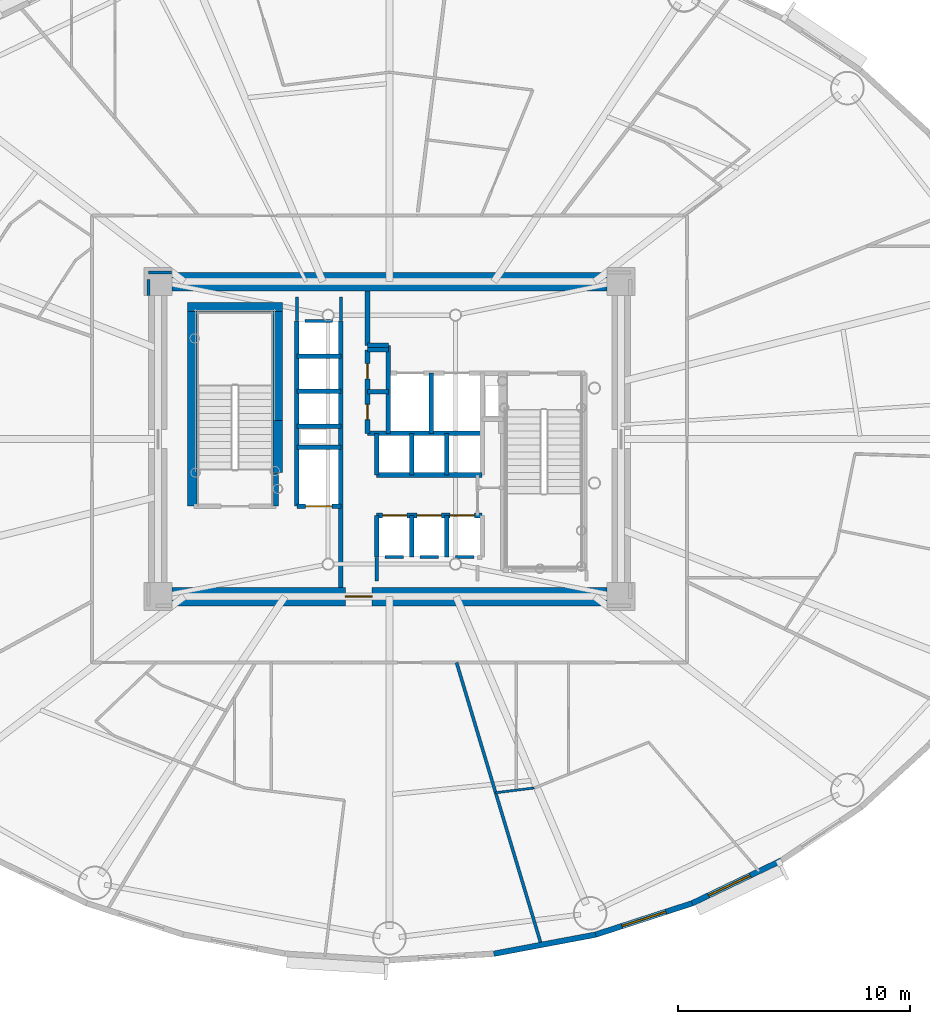
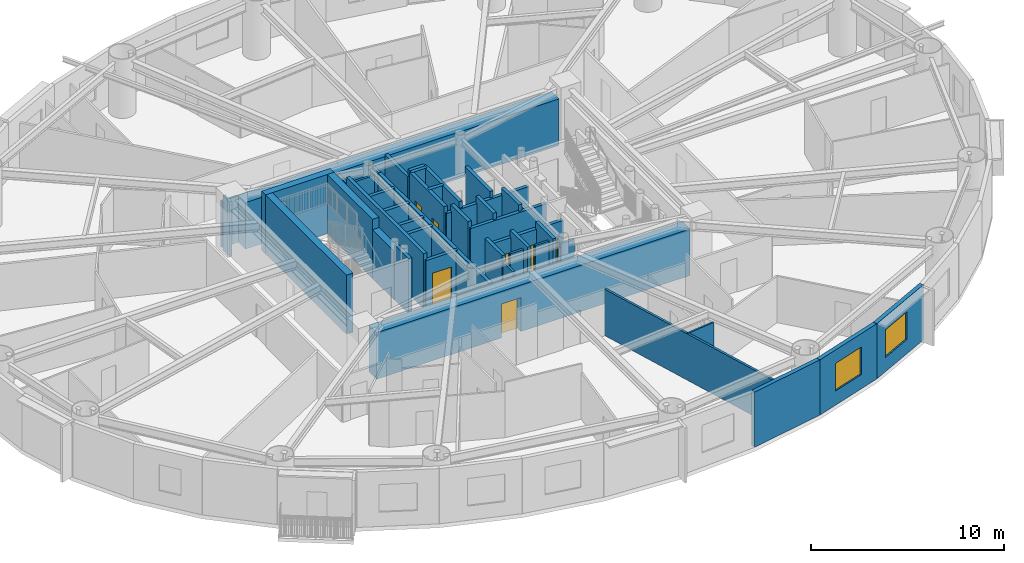
# One storey, part 8 of 18: 44 walls, 7 doors, 2 windows, 9 openings.
"""IFC4 building model written with IfcOpenShell, lengths in metres."""

from ifc_helpers import new_model, si_unit, direction, frame, frame_2d, origin, origin_2d, place, context, subcontext, project, spatial, rectangle, extrude, source, transform, mapped, material, layer, layer_set, type_object, element, fill, save


model = new_model("IFC4")

# Units and contexts
model_context = context("Model", 3, precision=1e-05, world=origin(), true_north=direction((0.0, 1.0)))
body_context = subcontext(model_context, "Body", "Model", "MODEL_VIEW")
ifc_project = project(units=[si_unit("LENGTHUNIT", "METRE"), si_unit("AREAUNIT", "SQUARE_METRE"), si_unit("VOLUMEUNIT", "CUBIC_METRE"), si_unit("PLANEANGLEUNIT", "RADIAN"), si_unit("MASSUNIT", "GRAM", prefix="KILO")], contexts=[model_context])

# Site, building, storey
site_placement = place(None, origin())
site = spatial("IfcSite", under=ifc_project, at=site_placement, CompositionType="ELEMENT")
building_placement = place(site_placement, origin())
building = spatial("IfcBuilding", under=site, at=building_placement, Name="Linh Dai School and Residence Tower", CompositionType="ELEMENT")
storey_placement = place(building_placement, frame((0.0, 0.0, 100.949951171875)))
storey = spatial("IfcBuildingStorey", under=building, at=storey_placement, Name="L23", CompositionType="ELEMENT", Elevation=100.949951171875)

# Wall
ifc_material_1 = material(Name="Precast Concrete B45 (C35/45)", Category="concrete")
ifc_layer_1 = layer(ifc_material_1, 0.239990234375)
ifc_layer_set_1 = layer_set([ifc_layer_1], Name="Precast Concrete B45 (C35/45)")
wall_type_1 = type_object("IfcWallType", Name="EW-TC-240", PredefinedType="SOLIDWALL", material=ifc_layer_set_1)
wall_1_placement = place(storey_placement, frame((44.899658203125, 5.5986328125, 0.0), z_axis=(0.0, 0.0, 1.0), x_axis=(-0.982789252177, -0.184730305596, 0.0)))
element("IfcWall", 1, at=wall_1_placement, inside=storey, type_object=wall_type_1, Name="L23 Terracotta Exterior Wall 32", PredefinedType="SOLIDWALL", context=body_context, shape_type="SweptSolid", body=[
    extrude(rectangle(XDim=4.470947265625, YDim=0.239990234375, at=frame_2d((2.2353515625, 0.0))), origin(), (0.0, 0.0, 1.0), 3.5),
])

# Wall, opening, window
wall_2_placement = place(storey_placement, frame((49.073974609375, 6.95263671875, 0.0), z_axis=(0.0, 0.0, 1.0), x_axis=(-0.951211346073, -0.308540070495, 0.0)))
wall_2 = element("IfcWall", 2, at=wall_2_placement, inside=storey, type_object=wall_type_1, Name="L23 Terracotta Exterior Wall 33", PredefinedType="SOLIDWALL", context=body_context, shape_type="SweptSolid", body=[
    extrude(rectangle(XDim=4.388427734375, YDim=0.239990234375, at=frame_2d((2.1943359375, 0.0))), origin(), (0.0, 0.0, 1.0), 3.5),
])
opening_1_placement = place(wall_2_placement, frame((1.1943359375, 0.0, 0.89990234375)))
opening_1 = element("IfcOpeningElement", 3, at=opening_1_placement, cuts=wall_2, Name="Opening W1", PredefinedType="OPENING", context=body_context, shape_type="SweptSolid", body=[
    extrude(rectangle(XDim=2.0, YDim=1.75, at=origin_2d()), frame((1.0, 0.1298828125, 0.875), z_axis=(0.0, -1.0, 0.0), x_axis=(1.0, 0.0, 0.0)), (0.0, 0.0, 1.0), 0.260009765625),
])
ifc_material_2 = material(Name="Double Low-E Insulated Glazing", Category="glass")
window_type = type_object("IfcWindowType", Name="WN-RES-2000x1750", PartitioningType="DOUBLE_PANEL_VERTICAL", PredefinedType="WINDOW", material=ifc_material_2)
shared_shape_1 = source(origin(), body_context, "Body", "SweptSolid", [
    extrude(rectangle(XDim=2.0, YDim=1.75, at=origin_2d()), frame((1.0, 0.030029296875, 0.875), z_axis=(0.0, -1.0, 0.0), x_axis=(1.0, 0.0, 0.0)), (0.0, 0.0, 1.0), 0.06005859375),
])
window_1_placement = place(opening_1_placement, origin())
window_1 = element("IfcWindow", 4, at=window_1_placement, inside=storey, type_object=window_type, Name="L23 Exterior Window 33.1", OverallHeight=1.75, OverallWidth=2.0, PartitioningType="DOUBLE_PANEL_VERTICAL", PredefinedType="WINDOW", context=body_context, shape_type="MappedRepresentation", body=[
    mapped(shared_shape_1, transform((0.0, 0.0, 0.0), x_axis=(1.0, 0.0, 0.0), y_axis=(0.0, 1.0, 0.0), z_axis=(0.0, 0.0, 1.0), scale=1.0)),
])
fill(opening_1, window_1)

wall_3_placement = place(storey_placement, frame((52.92529296875, 8.800537109375, 0.0), z_axis=(0.0, 0.0, 1.0), x_axis=(-0.901589935876, -0.432591709962, 0.0)))
wall_3 = element("IfcWall", 5, at=wall_3_placement, inside=storey, type_object=wall_type_1, Name="L23 Terracotta Exterior Wall 34", PredefinedType="SOLIDWALL", context=body_context, shape_type="SweptSolid", body=[
    extrude(rectangle(XDim=4.271728515625, YDim=0.239990234375, at=frame_2d((2.1357421875, 0.0))), origin(), (0.0, 0.0, 1.0), 3.5),
])
opening_2_placement = place(wall_3_placement, frame((1.4951171875, 0.0, 0.89990234375)))
opening_2 = element("IfcOpeningElement", 6, at=opening_2_placement, cuts=wall_3, Name="Opening W1", PredefinedType="OPENING", context=body_context, shape_type="SweptSolid", body=[
    extrude(rectangle(XDim=2.0, YDim=1.75, at=origin_2d()), frame((1.0, 0.1298828125, 0.875), z_axis=(0.0, -1.0, 0.0), x_axis=(1.0, 0.0, 0.0)), (0.0, 0.0, 1.0), 0.260009765625),
])
window_2_placement = place(opening_2_placement, origin())
window_2 = element("IfcWindow", 7, at=window_2_placement, inside=storey, type_object=window_type, Name="L23 Exterior Window 34.1", OverallHeight=1.75, OverallWidth=2.0, PartitioningType="DOUBLE_PANEL_VERTICAL", PredefinedType="WINDOW", context=body_context, shape_type="MappedRepresentation", body=[
    mapped(shared_shape_1, transform((0.0, 0.0, 0.0), x_axis=(1.0, 0.0, 0.0), y_axis=(0.0, 1.0, 0.0), z_axis=(0.0, 0.0, 1.0), scale=1.0)),
])
fill(opening_2, window_2)

# Walls
ifc_material_3 = material(Name="Autoclaved Aerated Concrete Blockwork", Category="masonry")
ifc_layer_2 = layer(ifc_material_3, 0.135009765625)
ifc_layer_set_2 = layer_set([ifc_layer_2], Name="Autoclaved Aerated Concrete Blockwork")
wall_type_2 = type_object("IfcWallType", Name="IW-CORR-135-EI90", PredefinedType="PARTITIONING", material=ifc_layer_set_2)
wall_4_placement = place(storey_placement, frame((38.896240234375, 17.35009765625, 0.0), z_axis=(0.0, 0.0, 1.0), x_axis=(0.287463970392, -0.957791452105, 0.0)))
element("IfcWall", 8, at=wall_4_placement, inside=storey, type_object=wall_type_2, Name="L23 Interior Partition Wall 063", PredefinedType="PARTITIONING", context=body_context, shape_type="SweptSolid", body=[
    extrude(rectangle(XDim=12.734375, YDim=0.135009765625, at=frame_2d((6.3671875, 0.0))), origin(), (0.0, 0.0, 1.0), 2.93505859375),
])
wall_5_placement = place(storey_placement, frame((36.60009765625, 21.89990234375, 0.0), z_axis=(0.0, 0.0, 1.0), x_axis=(-1.0, 0.0, 0.0)))
element("IfcWall", 9, at=wall_5_placement, inside=storey, type_object=wall_type_2, Name="L23 Interior Partition Wall 097", PredefinedType="PARTITIONING", context=body_context, shape_type="SweptSolid", body=[
    extrude(rectangle(XDim=0.7900390625, YDim=0.135009765625, at=frame_2d((0.39501953125, 0.0))), origin(), (0.0, 0.0, 1.0), 3.5),
])
wall_6_placement = place(storey_placement, frame((38.1201171875, 21.89990234375, 0.0), z_axis=(0.0, 0.0, 1.0), x_axis=(-1.0, 0.0, 0.0)))
element("IfcWall", 10, at=wall_6_placement, inside=storey, type_object=wall_type_2, Name="L23 Interior Partition Wall 098", PredefinedType="PARTITIONING", context=body_context, shape_type="SweptSolid", body=[
    extrude(rectangle(XDim=0.800048828125, YDim=0.135009765625, at=frame_2d((0.39990234375, 0.0))), origin(), (0.0, 0.0, 1.0), 3.5),
])
wall_7_placement = place(storey_placement, frame((39.639892578125, 21.89990234375, 0.0), z_axis=(0.0, 0.0, 1.0), x_axis=(-1.0, 0.0, 0.0)))
element("IfcWall", 11, at=wall_7_placement, inside=storey, type_object=wall_type_2, Name="L23 Interior Partition Wall 099", PredefinedType="PARTITIONING", context=body_context, shape_type="SweptSolid", body=[
    extrude(rectangle(XDim=0.7998046875, YDim=0.135009765625, at=frame_2d((0.39990234375, 0.0))), origin(), (0.0, 0.0, 1.0), 3.0849609375),
])
wall_8_placement = place(storey_placement, frame((32.360107421875, 32.10009765625, 0.0), z_axis=(0.0, 0.0, 1.0), x_axis=(1.0, 0.0, 0.0)))
element("IfcWall", 12, at=wall_8_placement, inside=storey, type_object=wall_type_2, Name="L23 Interior Partition Wall 100", PredefinedType="PARTITIONING", context=body_context, shape_type="SweptSolid", body=[
    extrude(rectangle(XDim=1.179931640625, YDim=0.135009765625, at=frame_2d((0.58984375, 0.0))), origin(), (0.0, 0.0, 1.0), 3.0849609375),
])
wall_9_placement = place(storey_placement, frame((32.0, 33.139892578125, 0.0), z_axis=(0.0, 0.0, 1.0), x_axis=(0.0, -1.0, 0.0)))
element("IfcWall", 13, at=wall_9_placement, inside=storey, type_object=wall_type_2, Name="L23 Interior Partition Wall 102", PredefinedType="PARTITIONING", context=body_context, shape_type="SweptSolid", body=[
    extrude(rectangle(XDim=1.02978515625, YDim=0.135009765625, at=frame_2d((0.514892578125, 0.0))), origin(), (0.0, 0.0, 1.0), 3.03515625),
])
for number, where, z_axis, x_axis, name in (
    (14, (35.449951171875, 21.889892578125, 0.0), (0.0, 0.0, 1.0), (0.0, -1.0, 0.0), "L23 Interior Partition Wall 104"),
    (15, (33.89990234375, 32.110107421875, 0.0), (0.0, 0.0, 1.0), (0.0, 1.0, 0.0), "L23 Interior Partition Wall 105"),
):
    element("IfcWall", number, at=place(storey_placement, frame(where, z_axis=z_axis, x_axis=x_axis)), inside=storey, type_object=wall_type_2, Name=name, PredefinedType="PARTITIONING", context=body_context, shape_type="SweptSolid", body=[
        extrude(rectangle(XDim=1.02978515625, YDim=0.135009765625, at=frame_2d((0.514892578125, 0.0))), origin(), (0.0, 0.0, 1.0), 3.0849609375),
    ])
wall_10_placement = place(storey_placement, frame((26.590087890625, 34.199951171875, 0.0), z_axis=(0.0, 0.0, 1.0), x_axis=(-1.0, 0.0, 0.0)))
element("IfcWall", 16, at=wall_10_placement, inside=storey, type_object=wall_type_2, Name="L23 Interior Partition Wall 109", PredefinedType="PARTITIONING", context=body_context, shape_type="SweptSolid", body=[
    extrude(rectangle(XDim=0.989990234375, YDim=0.135009765625, at=frame_2d((0.4951171875, 0.0))), origin(), (0.0, 0.0, 1.0), 2.93505859375),
])
wall_11_placement = place(storey_placement, frame((25.60009765625, 33.892578125, 0.0), z_axis=(0.0, 0.0, 1.0), x_axis=(0.0, -1.0, 0.0)))
element("IfcWall", 17, at=wall_11_placement, inside=storey, type_object=wall_type_2, Name="L23 Interior Partition Wall 110", PredefinedType="PARTITIONING", context=body_context, shape_type="SweptSolid", body=[
    extrude(rectangle(XDim=0.6826171875, YDim=0.135009765625, at=frame_2d((0.34130859375, 0.0))), origin(), (0.0, 0.0, 1.0), 3.5),
])
ifc_material_4 = material(Name="Concrete B45 (C35/45)", Category="concrete")
ifc_layer_3 = layer(ifc_material_4, 0.199951171875)
ifc_layer_set_3 = layer_set([ifc_layer_3], Name="Concrete B45 (C35/45)")
wall_type_3 = type_object("IfcWallType", Name="IW-SHAFT-200-EI120", PredefinedType="PARTITIONING", material=ifc_layer_set_3)
wall_12_placement = place(storey_placement, frame((31.10009765625, 24.10009765625, 0.0), z_axis=(0.0, 0.0, 1.0), x_axis=(0.0, 1.0, 0.0)))
element("IfcWall", 18, at=wall_12_placement, inside=storey, type_object=wall_type_3, Name="L23 Interior Partition Wall 031", PredefinedType="PARTITIONING", context=body_context, shape_type="SweptSolid", body=[
    extrude(rectangle(XDim=1.43994140625, YDim=0.199951171875, at=frame_2d((0.719970703125, 0.0))), origin(), (0.0, 0.0, 1.0), 3.5),
])
wall_13_placement = place(storey_placement, frame((32.0, 24.10009765625, 0.0), z_axis=(0.0, 0.0, 1.0), x_axis=(0.0, 1.0, 0.0)))
element("IfcWall", 19, at=wall_13_placement, inside=storey, type_object=wall_type_3, Name="L23 Interior Partition Wall 033", PredefinedType="PARTITIONING", context=body_context, shape_type="SweptSolid", body=[
    extrude(rectangle(XDim=8.0, YDim=0.199951171875, at=frame_2d((4.0, 0.0))), origin(), (0.0, 0.0, 1.0), 3.5),
])

# Wall, opening, door
wall_14_placement = place(storey_placement, frame((32.0, 24.10009765625, 0.0), z_axis=(0.0, 0.0, 1.0), x_axis=(1.0, 0.0, 0.0)))
wall_14 = element("IfcWall", 20, at=wall_14_placement, inside=storey, type_object=wall_type_3, Name="L23 Interior Partition Wall 034", PredefinedType="PARTITIONING", context=body_context, shape_type="SweptSolid", body=[
    extrude(rectangle(XDim=1.89990234375, YDim=0.199951171875, at=frame_2d((0.949951171875, 0.0))), origin(), (0.0, 0.0, 1.0), 3.0849609375),
])
opening_3_placement = place(wall_14_placement, frame((0.375, 0.0, 0.0)))
opening_3 = element("IfcOpeningElement", 21, at=opening_3_placement, cuts=wall_14, Name="Opening LD-FF2", PredefinedType="OPENING", context=body_context, shape_type="SweptSolid", body=[
    extrude(rectangle(XDim=1.14990234375, YDim=2.14990234375, at=origin_2d()), frame((0.574951171875, 0.10986328125, 1.074951171875), z_axis=(0.0, -1.0, 0.0), x_axis=(1.0, 0.0, 0.0)), (0.0, 0.0, 1.0), 0.219970703125),
])
ifc_material_5 = material(Name="Fire-Rated Stainless Steel Firefighting Lift Door", Category="steel")
door_type_1 = type_object("IfcDoorType", Name="DR-LD-FF-1150x2150-FD120", OperationType="DOUBLE_DOOR_SLIDING", PredefinedType="USERDEFINED", material=ifc_material_5)
shared_shape_2 = source(origin(), body_context, "Body", "SweptSolid", [
    extrude(rectangle(XDim=1.14990234375, YDim=2.14990234375, at=origin_2d()), frame((0.574951171875, 0.02490234375, 1.074951171875), z_axis=(0.0, -1.0, 0.0), x_axis=(1.0, 0.0, 0.0)), (0.0, 0.0, 1.0), 0.050048828125),
])
door_1_placement = place(opening_3_placement, origin())
door_1 = element("IfcDoor", 22, at=door_1_placement, inside=storey, type_object=door_type_1, Name="L23 Lift FF2 Sliding Landing Door", ObjectType="LANDING DOOR", OperationType="DOUBLE_DOOR_SLIDING", OverallHeight=2.14990234375, OverallWidth=1.14990234375, PredefinedType="USERDEFINED", context=body_context, shape_type="MappedRepresentation", body=[
    mapped(shared_shape_2, transform((0.0, 0.0, 0.0), x_axis=(1.0, 0.0, 0.0), y_axis=(0.0, 1.0, 0.0), z_axis=(0.0, 0.0, 1.0), scale=1.0)),
])
fill(opening_3, door_1)

# Walls
for number, where, z_axis, x_axis, name in (
    (23, (32.0, 26.64990234375, 0.0), (0.0, 0.0, 1.0), (1.0, 0.0, 0.0), "L23 Interior Partition Wall 035"),
    (24, (32.0, 27.550048828125, 0.0), (0.0, 0.0, 1.0), (1.0, 0.0, 0.0), "L23 Interior Partition Wall 036"),
    (25, (32.0, 29.06005859375, 0.0), (0.0, 0.0, 1.0), (1.0, 0.0, 0.0), "L23 Interior Partition Wall 037"),
    (26, (32.0, 30.580078125, 0.0), (0.0, 0.0, 1.0), (1.0, 0.0, 0.0), "L23 Interior Partition Wall 038"),
):
    element("IfcWall", number, at=place(storey_placement, frame(where, z_axis=z_axis, x_axis=x_axis)), inside=storey, type_object=wall_type_3, Name=name, PredefinedType="PARTITIONING", context=body_context, shape_type="SweptSolid", body=[
        extrude(rectangle(XDim=1.89990234375, YDim=0.199951171875, at=frame_2d((0.949951171875, 0.0))), origin(), (0.0, 0.0, 1.0), 3.0849609375),
    ])
wall_15_placement = place(storey_placement, frame((33.89990234375, 20.60009765625, 0.0), z_axis=(0.0, 0.0, 1.0), x_axis=(0.0, 1.0, 0.0)))
element("IfcWall", 27, at=wall_15_placement, inside=storey, type_object=wall_type_3, Name="L23 Interior Partition Wall 040", PredefinedType="PARTITIONING", context=body_context, shape_type="SweptSolid", body=[
    extrude(rectangle(XDim=11.5, YDim=0.199951171875, at=frame_2d((5.75, 0.0))), origin(), (0.0, 0.0, 1.0), 3.0849609375),
])

# Wall, openings, doors
wall_16_placement = place(storey_placement, frame((35.050048828125, 27.25, 0.0), z_axis=(0.0, 0.0, 1.0), x_axis=(0.0, 1.0, 0.0)))
wall_16 = element("IfcWall", 28, at=wall_16_placement, inside=storey, type_object=wall_type_3, Name="L23 Interior Partition Wall 042", PredefinedType="PARTITIONING", context=body_context, shape_type="SweptSolid", body=[
    extrude(rectangle(XDim=3.60009765625, YDim=0.199951171875, at=frame_2d((1.800048828125, 0.0))), origin(), (0.0, 0.0, 1.0), 3.5),
])
opening_4_placement = place(wall_16_placement, frame((0.590087890625, 0.0, 0.0)))
opening_4 = element("IfcOpeningElement", 29, at=opening_4_placement, cuts=wall_16, Name="Opening AD1", PredefinedType="OPENING", context=body_context, shape_type="SweptSolid", body=[
    extrude(rectangle(XDim=0.659912109375, YDim=2.050048828125, at=origin_2d()), frame((0.330078125, 0.10986328125, 1.02490234375), z_axis=(0.0, -1.0, 0.0), x_axis=(1.0, 0.0, 0.0)), (0.0, 0.0, 1.0), 0.219970703125),
])
opening_5_placement = place(wall_16_placement, frame((2.35009765625, 0.0, 0.0)))
opening_5 = element("IfcOpeningElement", 30, at=opening_5_placement, cuts=wall_16, Name="Opening AD1", PredefinedType="OPENING", context=body_context, shape_type="SweptSolid", body=[
    extrude(rectangle(XDim=0.659912109375, YDim=2.050048828125, at=origin_2d()), frame((0.330078125, 0.10986328125, 1.02490234375), z_axis=(0.0, -1.0, 0.0), x_axis=(1.0, 0.0, 0.0)), (0.0, 0.0, 1.0), 0.219970703125),
])
ifc_material_6 = material(Name="Fire-Rated Steel Riser Access Door", Category="steel")
door_type_2 = type_object("IfcDoorType", Name="DR-ACC-660x2050-FD90S", OperationType="NOTDEFINED", PredefinedType="USERDEFINED", material=ifc_material_6)
shared_shape_3 = source(origin(), body_context, "Body", "SweptSolid", [
    extrude(rectangle(XDim=0.659912109375, YDim=2.050048828125, at=origin_2d()), frame((0.330078125, 0.02490234375, 1.02490234375), z_axis=(0.0, -1.0, 0.0), x_axis=(1.0, 0.0, 0.0)), (0.0, 0.0, 1.0), 0.050048828125),
])
door_2_placement = place(opening_4_placement, origin())
door_2 = element("IfcDoor", 31, at=door_2_placement, inside=storey, type_object=door_type_2, Name="L23 Telecom and Data Riser Access Door", ObjectType="ACCESS DOOR", OperationType="SINGLE_SWING_RIGHT", OverallHeight=2.050048828125, OverallWidth=0.659912109375, PredefinedType="USERDEFINED", context=body_context, shape_type="MappedRepresentation", body=[
    mapped(shared_shape_3, transform((0.0, 0.0, 0.0), x_axis=(1.0, 0.0, 0.0), y_axis=(0.0, 1.0, 0.0), z_axis=(0.0, 0.0, 1.0), scale=1.0)),
])
fill(opening_4, door_2)
door_3_placement = place(opening_5_placement, origin())
door_3 = element("IfcDoor", 32, at=door_3_placement, inside=storey, type_object=door_type_2, Name="L23 Mechanical and Plumbing Riser Access Door", ObjectType="ACCESS DOOR", OperationType="SINGLE_SWING_LEFT", OverallHeight=2.050048828125, OverallWidth=0.659912109375, PredefinedType="USERDEFINED", context=body_context, shape_type="MappedRepresentation", body=[
    mapped(shared_shape_3, transform((0.0, 0.0, 0.0), x_axis=(1.0, 0.0, 0.0), y_axis=(0.0, 1.0, 0.0), z_axis=(0.0, 0.0, 1.0), scale=1.0)),
])
fill(opening_5, door_3)

# Walls
wall_17_placement = place(storey_placement, frame((35.050048828125, 27.25, 0.0), z_axis=(0.0, 0.0, 1.0), x_axis=(1.0, 0.0, 0.0)))
element("IfcWall", 33, at=wall_17_placement, inside=storey, type_object=wall_type_3, Name="L23 Interior Partition Wall 043", PredefinedType="PARTITIONING", context=body_context, shape_type="SweptSolid", body=[
    extrude(rectangle(XDim=4.949951171875, YDim=0.199951171875, at=frame_2d((2.47509765625, 0.0))), origin(), (0.0, 0.0, 1.0), 3.0849609375),
])
for number, where, z_axis, x_axis, name in (
    (34, (35.050048828125, 29.050048828125, 0.0), (0.0, 0.0, 1.0), (1.0, 0.0, 0.0), "L23 Interior Partition Wall 044"),
    (35, (35.050048828125, 30.85009765625, 0.0), (0.0, 0.0, 1.0), (1.0, 0.0, 0.0), "L23 Interior Partition Wall 045"),
):
    element("IfcWall", number, at=place(storey_placement, frame(where, z_axis=z_axis, x_axis=x_axis)), inside=storey, type_object=wall_type_3, Name=name, PredefinedType="PARTITIONING", context=body_context, shape_type="SweptSolid", body=[
        extrude(rectangle(XDim=0.89990234375, YDim=0.199951171875, at=frame_2d((0.449951171875, 0.0))), origin(), (0.0, 0.0, 1.0), 3.5),
    ])
wall_18_placement = place(storey_placement, frame((35.050048828125, 31.050048828125, 0.0), z_axis=(0.0, 0.0, 1.0), x_axis=(0.0, 1.0, 0.0)))
element("IfcWall", 36, at=wall_18_placement, inside=storey, type_object=wall_type_3, Name="L23 Interior Partition Wall 046", PredefinedType="PARTITIONING", context=body_context, shape_type="SweptSolid", body=[
    extrude(rectangle(XDim=2.349853515625, YDim=0.199951171875, at=frame_2d((1.1748046875, 0.0))), origin(), (0.0, 0.0, 1.0), 3.0849609375),
])
wall_19_placement = place(storey_placement, frame((35.050048828125, 31.050048828125, 0.0), z_axis=(0.0, 0.0, 1.0), x_axis=(1.0, 0.0, 0.0)))
element("IfcWall", 37, at=wall_19_placement, inside=storey, type_object=wall_type_3, Name="L23 Interior Partition Wall 047", PredefinedType="PARTITIONING", context=body_context, shape_type="SweptSolid", body=[
    extrude(rectangle(XDim=0.89990234375, YDim=0.199951171875, at=frame_2d((0.449951171875, 0.0))), origin(), (0.0, 0.0, 1.0), 3.5),
])
wall_20_placement = place(storey_placement, frame((35.449951171875, 21.89990234375, 0.0), z_axis=(0.0, 0.0, 1.0), x_axis=(0.0, 1.0, 0.0)))
element("IfcWall", 38, at=wall_20_placement, inside=storey, type_object=wall_type_3, Name="L23 Interior Partition Wall 048", PredefinedType="PARTITIONING", context=body_context, shape_type="SweptSolid", body=[
    extrude(rectangle(XDim=1.800048828125, YDim=0.199951171875, at=frame_2d((0.89990234375, 0.0))), origin(), (0.0, 0.0, 1.0), 3.5),
])

# Wall, openings, doors
wall_21_placement = place(storey_placement, frame((35.449951171875, 23.699951171875, 0.0), z_axis=(0.0, 0.0, 1.0), x_axis=(1.0, 0.0, 0.0)))
wall_21 = element("IfcWall", 39, at=wall_21_placement, inside=storey, type_object=wall_type_3, Name="L23 Interior Partition Wall 049", PredefinedType="PARTITIONING", context=body_context, shape_type="SweptSolid", body=[
    extrude(rectangle(XDim=4.550048828125, YDim=0.199951171875, at=frame_2d((2.27490234375, 0.0))), origin(), (0.0, 0.0, 1.0), 3.0849609375),
])
opening_6_placement = place(wall_21_placement, frame((0.25, 0.0, 0.0)))
opening_6 = element("IfcOpeningElement", 40, at=opening_6_placement, cuts=wall_21, Name="Opening LD-PL1", PredefinedType="OPENING", context=body_context, shape_type="SweptSolid", body=[
    extrude(rectangle(XDim=1.050048828125, YDim=2.14990234375, at=origin_2d()), frame((0.52490234375, 0.10986328125, 1.074951171875), z_axis=(0.0, -1.0, 0.0), x_axis=(1.0, 0.0, 0.0)), (0.0, 0.0, 1.0), 0.219970703125),
])
opening_7_placement = place(wall_21_placement, frame((1.7451171875, 0.0, 0.0)))
opening_7 = element("IfcOpeningElement", 41, at=opening_7_placement, cuts=wall_21, Name="Opening LD-PL2", PredefinedType="OPENING", context=body_context, shape_type="SweptSolid", body=[
    extrude(rectangle(XDim=1.050048828125, YDim=2.14990234375, at=origin_2d()), frame((0.52490234375, 0.10986328125, 1.074951171875), z_axis=(0.0, -1.0, 0.0), x_axis=(1.0, 0.0, 0.0)), (0.0, 0.0, 1.0), 0.219970703125),
])
opening_8_placement = place(wall_21_placement, frame((3.1650390625, 0.0, 0.0)))
opening_8 = element("IfcOpeningElement", 42, at=opening_8_placement, cuts=wall_21, Name="Opening LD-PL3", PredefinedType="OPENING", context=body_context, shape_type="SweptSolid", body=[
    extrude(rectangle(XDim=1.050048828125, YDim=2.14990234375, at=origin_2d()), frame((0.52490234375, 0.10986328125, 1.074951171875), z_axis=(0.0, -1.0, 0.0), x_axis=(1.0, 0.0, 0.0)), (0.0, 0.0, 1.0), 0.219970703125),
])
ifc_material_7 = material(Name="Brushed Stainless Steel Lift Landing Door", Category="steel")
door_type_3 = type_object("IfcDoorType", Name="DR-LD-PASS-1050x2150", OperationType="DOUBLE_DOOR_SLIDING", PredefinedType="USERDEFINED", material=ifc_material_7)
shared_shape_4 = source(origin(), body_context, "Body", "SweptSolid", [
    extrude(rectangle(XDim=1.050048828125, YDim=2.14990234375, at=origin_2d()), frame((0.52490234375, 0.02490234375, 1.074951171875), z_axis=(0.0, -1.0, 0.0), x_axis=(1.0, 0.0, 0.0)), (0.0, 0.0, 1.0), 0.050048828125),
])
door_4_placement = place(opening_6_placement, origin())
door_4 = element("IfcDoor", 43, at=door_4_placement, inside=storey, type_object=door_type_3, Name="L23 Lift PL1 Sliding Landing Door", ObjectType="LANDING DOOR", OperationType="DOUBLE_DOOR_SLIDING", OverallHeight=2.14990234375, OverallWidth=1.050048828125, PredefinedType="USERDEFINED", context=body_context, shape_type="MappedRepresentation", body=[
    mapped(shared_shape_4, transform((0.0, 0.0, 0.0), x_axis=(1.0, 0.0, 0.0), y_axis=(0.0, 1.0, 0.0), z_axis=(0.0, 0.0, 1.0), scale=1.0)),
])
fill(opening_6, door_4)
door_5_placement = place(opening_7_placement, origin())
door_5 = element("IfcDoor", 44, at=door_5_placement, inside=storey, type_object=door_type_3, Name="L23 Lift PL2 Sliding Landing Door", ObjectType="LANDING DOOR", OperationType="DOUBLE_DOOR_SLIDING", OverallHeight=2.14990234375, OverallWidth=1.050048828125, PredefinedType="USERDEFINED", context=body_context, shape_type="MappedRepresentation", body=[
    mapped(shared_shape_4, transform((0.0, 0.0, 0.0), x_axis=(1.0, 0.0, 0.0), y_axis=(0.0, 1.0, 0.0), z_axis=(0.0, 0.0, 1.0), scale=1.0)),
])
fill(opening_7, door_5)
door_6_placement = place(opening_8_placement, origin())
door_6 = element("IfcDoor", 45, at=door_6_placement, inside=storey, type_object=door_type_3, Name="L23 Lift PL3 Sliding Landing Door", ObjectType="LANDING DOOR", OperationType="DOUBLE_DOOR_SLIDING", OverallHeight=2.14990234375, OverallWidth=1.050048828125, PredefinedType="USERDEFINED", context=body_context, shape_type="MappedRepresentation", body=[
    mapped(shared_shape_4, transform((0.0, 0.0, 0.0), x_axis=(1.0, 0.0, 0.0), y_axis=(0.0, 1.0, 0.0), z_axis=(0.0, 0.0, 1.0), scale=1.0)),
])
fill(opening_8, door_6)

# Walls
wall_22_placement = place(storey_placement, frame((35.449951171875, 25.449951171875, 0.0), z_axis=(0.0, 0.0, 1.0), x_axis=(0.0, 1.0, 0.0)))
element("IfcWall", 46, at=wall_22_placement, inside=storey, type_object=wall_type_3, Name="L23 Interior Partition Wall 050", PredefinedType="PARTITIONING", context=body_context, shape_type="SweptSolid", body=[
    extrude(rectangle(XDim=1.800048828125, YDim=0.199951171875, at=frame_2d((0.89990234375, 0.0))), origin(), (0.0, 0.0, 1.0), 3.5),
])
wall_23_placement = place(storey_placement, frame((35.449951171875, 25.449951171875, 0.0), z_axis=(0.0, 0.0, 1.0), x_axis=(1.0, 0.0, 0.0)))
element("IfcWall", 47, at=wall_23_placement, inside=storey, type_object=wall_type_3, Name="L23 Interior Partition Wall 051", PredefinedType="PARTITIONING", context=body_context, shape_type="SweptSolid", body=[
    extrude(rectangle(XDim=4.550048828125, YDim=0.199951171875, at=frame_2d((2.27490234375, 0.0))), origin(), (0.0, 0.0, 1.0), 3.0849609375),
])
wall_24_placement = place(storey_placement, frame((35.949951171875, 27.25, 0.0), z_axis=(0.0, 0.0, 1.0), x_axis=(0.0, 1.0, 0.0)))
element("IfcWall", 48, at=wall_24_placement, inside=storey, type_object=wall_type_3, Name="L23 Interior Partition Wall 052", PredefinedType="PARTITIONING", context=body_context, shape_type="SweptSolid", body=[
    extrude(rectangle(XDim=3.800048828125, YDim=0.199951171875, at=frame_2d((1.89990234375, 0.0))), origin(), (0.0, 0.0, 1.0), 3.5),
])
for number, where, z_axis, x_axis, name in (
    (49, (36.9599609375, 21.89990234375, 0.0), (0.0, 0.0, 1.0), (0.0, 1.0, 0.0), "L23 Interior Partition Wall 055"),
    (50, (36.9599609375, 25.449951171875, 0.0), (0.0, 0.0, 1.0), (0.0, 1.0, 0.0), "L23 Interior Partition Wall 056"),
):
    element("IfcWall", number, at=place(storey_placement, frame(where, z_axis=z_axis, x_axis=x_axis)), inside=storey, type_object=wall_type_3, Name=name, PredefinedType="PARTITIONING", context=body_context, shape_type="SweptSolid", body=[
        extrude(rectangle(XDim=1.800048828125, YDim=0.199951171875, at=frame_2d((0.89990234375, 0.0))), origin(), (0.0, 0.0, 1.0), 3.5),
    ])
wall_25_placement = place(storey_placement, frame((37.800048828125, 27.25, 0.0), z_axis=(0.0, 0.0, 1.0), x_axis=(0.0, 1.0, 0.0)))
element("IfcWall", 51, at=wall_25_placement, inside=storey, type_object=wall_type_3, Name="L23 Interior Partition Wall 060", PredefinedType="PARTITIONING", context=body_context, shape_type="SweptSolid", body=[
    extrude(rectangle(XDim=2.60009765625, YDim=0.199951171875, at=frame_2d((1.300048828125, 0.0))), origin(), (0.0, 0.0, 1.0), 3.5),
])
for number, where, z_axis, x_axis, name in (
    (52, (38.47998046875, 21.89990234375, 0.0), (0.0, 0.0, 1.0), (0.0, 1.0, 0.0), "L23 Interior Partition Wall 061"),
    (53, (38.47998046875, 25.449951171875, 0.0), (0.0, 0.0, 1.0), (0.0, 1.0, 0.0), "L23 Interior Partition Wall 062"),
):
    element("IfcWall", number, at=place(storey_placement, frame(where, z_axis=z_axis, x_axis=x_axis)), inside=storey, type_object=wall_type_3, Name=name, PredefinedType="PARTITIONING", context=body_context, shape_type="SweptSolid", body=[
        extrude(rectangle(XDim=1.800048828125, YDim=0.199951171875, at=frame_2d((0.89990234375, 0.0))), origin(), (0.0, 0.0, 1.0), 3.5),
    ])
ifc_material_8 = material(Name="Gypsum Plasterboard Acoustic Stud Partition", Category="masonry")
ifc_layer_4 = layer(ifc_material_8, 0.10009765625)
ifc_layer_set_4 = layer_set([ifc_layer_4], Name="Gypsum Plasterboard Acoustic Stud Partition")
wall_type_4 = type_object("IfcWallType", Name="IW-UNIT-100", PredefinedType="PARTITIONING", material=ifc_layer_set_4)
wall_26_placement = place(storey_placement, frame((40.583740234375, 11.7275390625, 0.0), z_axis=(0.0, 0.0, 1.0), x_axis=(0.992400317705, 0.123051247123, 0.0)))
element("IfcWall", 54, at=wall_26_placement, inside=storey, type_object=wall_type_4, Name="L23 Interior Partition Wall 071", PredefinedType="PARTITIONING", context=body_context, shape_type="SweptSolid", body=[
    extrude(rectangle(XDim=1.680419921875, YDim=0.10009765625, at=frame_2d((0.84033203125, 0.0))), origin(), (0.0, 0.0, 1.0), 2.93505859375),
])
ifc_layer_5 = layer(ifc_material_4, 0.39990234375)
ifc_layer_set_5 = layer_set([ifc_layer_5], Name="Concrete B45 (C35/45)")
wall_type_5 = type_object("IfcWallType", Name="WL-CORE400", PredefinedType="SHEAR", material=ifc_layer_set_5)
wall_27_placement = place(storey_placement, frame((27.47998046875, 24.10009765625, 0.0), z_axis=(0.0, 0.0, 1.0), x_axis=(0.0, 1.0, 0.0)))
element("IfcWall", 55, at=wall_27_placement, inside=storey, type_object=wall_type_5, Name="L23 Core Stair ST1 Bearing Wall W", PredefinedType="SHEAR", context=body_context, shape_type="SweptSolid", body=[
    extrude(rectangle(XDim=8.599853515625, YDim=0.39990234375, at=frame_2d((4.2998046875, 0.0))), origin(), (0.0, 0.0, 1.0), 3.75),
])
wall_28_placement = place(storey_placement, frame((31.179931640625, 27.800048828125, 0.0), z_axis=(0.0, 0.0, 1.0), x_axis=(0.0, 1.0, 0.0)))
element("IfcWall", 56, at=wall_28_placement, inside=storey, type_object=wall_type_5, Name="L23 Core Stair ST1 Bearing Wall E", PredefinedType="SHEAR", context=body_context, shape_type="SweptSolid", body=[
    extrude(rectangle(XDim=4.89990234375, YDim=0.39990234375, at=frame_2d((2.449951171875, 0.0))), origin(), (0.0, 0.0, 1.0), 3.75),
])
wall_29_placement = place(storey_placement, frame((27.280029296875, 32.699951171875, 0.0), z_axis=(0.0, 0.0, 1.0), x_axis=(1.0, 0.0, 0.0)))
element("IfcWall", 57, at=wall_29_placement, inside=storey, type_object=wall_type_5, Name="L23 Core Stair ST1 Bearing Wall N", PredefinedType="SHEAR", context=body_context, shape_type="SweptSolid", body=[
    extrude(rectangle(XDim=4.099853515625, YDim=0.39990234375, at=frame_2d((2.0498046875, 0.0))), origin(), (0.0, 0.0, 1.0), 3.75),
])
wall_30_placement = place(storey_placement, frame((31.179931640625, 25.550048828125, 0.0), z_axis=(0.0, 0.0, 1.0), x_axis=(0.0, 1.0, 0.0)))
element("IfcWall", 58, at=wall_30_placement, inside=storey, type_object=wall_type_5, Name="L23 Internal Core Shear Wall IW", PredefinedType="SHEAR", context=body_context, shape_type="SweptSolid", body=[
    extrude(rectangle(XDim=2.25, YDim=0.39990234375, at=frame_2d((1.125, 0.0))), origin(), (0.0, 0.0, 1.0), 3.10009765625),
])
ifc_material_9 = material(Name="Concrete B60 (C50/60)", Category="concrete")
ifc_layer_6 = layer(ifc_material_9, 0.800048828125)
ifc_layer_set_6 = layer_set([ifc_layer_6], Name="Concrete B60 (C50/60)")
wall_type_6 = type_object("IfcWallType", Name="WL-CORE800", PredefinedType="SHEAR", material=ifc_layer_set_6)
wall_31_placement = place(storey_placement, frame((26.60009765625, 33.800048828125, 0.0), z_axis=(0.0, 0.0, 1.0), x_axis=(1.0, 0.0, 0.0)))
element("IfcWall", 59, at=wall_31_placement, inside=storey, type_object=wall_type_6, Name="L23 Central Core Shear Wall N", PredefinedType="SHEAR", context=body_context, shape_type="SweptSolid", body=[
    extrude(rectangle(XDim=18.7998046875, YDim=0.800048828125, at=frame_2d((9.39990234375, 0.0))), origin(), (0.0, 0.0, 1.0), 2.949951171875),
])

# Wall, opening, door
wall_32_placement = place(storey_placement, frame((45.39990234375, 20.199951171875, 0.0), z_axis=(0.0, 0.0, 1.0), x_axis=(-1.0, 0.0, 0.0)))
wall_32 = element("IfcWall", 60, at=wall_32_placement, inside=storey, type_object=wall_type_6, Name="L23 Central Core Shear Wall S", PredefinedType="SHEAR", context=body_context, shape_type="SweptSolid", body=[
    extrude(rectangle(XDim=18.7998046875, YDim=0.800048828125, at=frame_2d((9.39990234375, 0.0))), origin(), (0.0, 0.0, 1.0), 2.949951171875),
])
opening_9_placement = place(wall_32_placement, frame((10.14990234375, 0.0, 0.0)))
opening_9 = element("IfcOpeningElement", 61, at=opening_9_placement, cuts=wall_32, Name="Opening D02", PredefinedType="OPENING", context=body_context, shape_type="SweptSolid", body=[
    extrude(rectangle(XDim=1.14990234375, YDim=2.14990234375, at=origin_2d()), frame((0.574951171875, 0.41015625, 1.074951171875), z_axis=(0.0, -1.0, 0.0), x_axis=(1.0, 0.0, 0.0)), (0.0, 0.0, 1.0), 0.820068359375),
])
ifc_material_10 = material(Name="Fire-Rated Glazed Steel Lobby Door", Category="steel")
door_type_4 = type_object("IfcDoorType", Name="DR-LOBBY-1150x2150-FD90S", OperationType="NOTDEFINED", PredefinedType="DOOR", material=ifc_material_10)
shared_shape_5 = source(origin(), body_context, "Body", "SweptSolid", [
    extrude(rectangle(XDim=1.14990234375, YDim=2.14990234375, at=origin_2d()), frame((0.574951171875, 0.02490234375, 1.074951171875), z_axis=(0.0, -1.0, 0.0), x_axis=(1.0, 0.0, 0.0)), (0.0, 0.0, 1.0), 0.050048828125),
])
door_7_placement = place(opening_9_placement, origin())
door_7 = element("IfcDoor", 62, at=door_7_placement, inside=storey, type_object=door_type_4, Name="L23 Passenger Foyer Access Door", OperationType="SINGLE_SWING_LEFT", OverallHeight=2.14990234375, OverallWidth=1.14990234375, PredefinedType="DOOR", context=body_context, shape_type="MappedRepresentation", body=[
    mapped(shared_shape_5, transform((0.0, 0.0, 0.0), x_axis=(1.0, 0.0, 0.0), y_axis=(0.0, 1.0, 0.0), z_axis=(0.0, 0.0, 1.0), scale=1.0)),
])
fill(opening_9, door_7)

save(model, "model.ifc")
